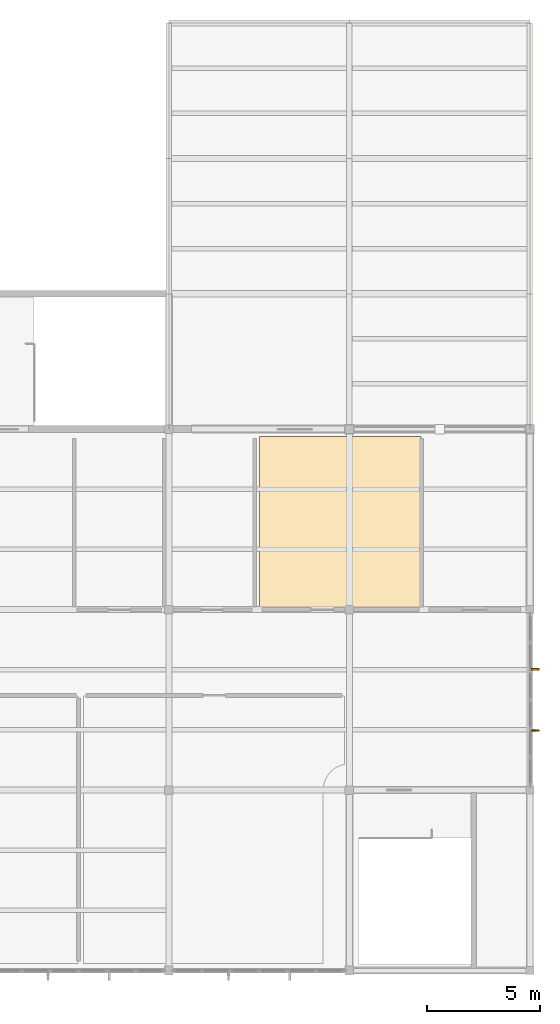
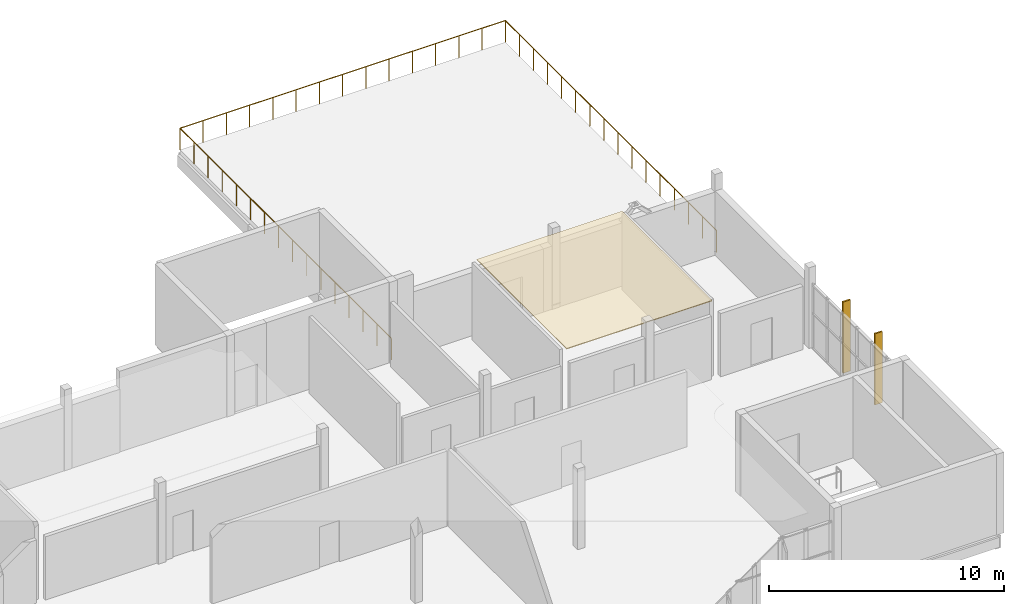
# One storey, part 15 of 15: 2 shading devices, 1 covering, 1 railing.
"""IFC4 building model written with IfcOpenShell, lengths in metres."""

from ifc_helpers import new_model, si_unit, direction, frame, origin, origin_2d, place, context, subcontext, project, spatial, polyline, rectangle, circle, outline, extrude, material, layer, layer_set, type_object, element, save


model = new_model("IFC4")

# Units and contexts
model_context = context("Model", 3, precision=1e-05, world=origin(), true_north=direction((0.0, 1.0)))
body_context = subcontext(model_context, "Body", "Model", "MODEL_VIEW")
ifc_project = project(units=[si_unit("LENGTHUNIT", "METRE"), si_unit("AREAUNIT", "SQUARE_METRE"), si_unit("VOLUMEUNIT", "CUBIC_METRE"), si_unit("PLANEANGLEUNIT", "RADIAN"), si_unit("MASSUNIT", "GRAM", prefix="KILO")], contexts=[model_context])

# Site, building, storey
site_placement = place(None, origin())
site = spatial("IfcSite", under=ifc_project, at=site_placement, CompositionType="ELEMENT")
building_placement = place(site_placement, origin())
building = spatial("IfcBuilding", under=site, at=building_placement, Name="Solvane Community Centre", CompositionType="ELEMENT")
storey_placement = place(building_placement, frame((0.0, 0.0, 18.0)))
storey = spatial("IfcBuildingStorey", under=building, at=storey_placement, Name="L04", CompositionType="ELEMENT", Elevation=18.0)

# Covering
ifc_material_1 = material(Name="Acoustic timber slat ceiling", Category="wood")
ifc_layer = layer(ifc_material_1, 0.0400390625)
ifc_layer_set = layer_set([ifc_layer], Name="Acoustic timber slat ceiling")
covering_type = type_object("IfcCoveringType", Name="Acoustic Timber Slat Suspended Ceiling", PredefinedType="CEILING", material=ifc_layer_set)
covering_placement = place(storey_placement, frame((0.0, 0.0, 3.97509765625)))
element("IfcCovering", 1, at=covering_placement, inside=storey, type_object=covering_type, Name="Acoustic Ceiling L04-14", PredefinedType="CEILING", context=body_context, shape_type="SweptSolid", body=[
    extrude(outline(polyline([(128.02001953125, 22.02001953125), (128.02001953125, 29.679931640625), (135.179931640625, 29.679931640625), (135.179931640625, 22.02001953125), (128.02001953125, 22.02001953125)])), origin(), (0.0, 0.0, 1.0), 0.039794921875),
])

# Shading devices
ifc_material_2 = material(Name="Anodised bronze aluminium AW-6063 T6", Category="aluminium")
shading_device_type = type_object("IfcShadingDeviceType", Name="Art Deco Bronze Solar Fin 80x360", PredefinedType="USERDEFINED", material=ifc_material_2)
shading_device_1_placement = place(storey_placement, frame((140.239990234375, 19.360107421875, 0.14990234375), z_axis=(0.0, 0.0, 1.0), x_axis=(0.0, -1.0, 0.0)))
element("IfcShadingDevice", 2, at=shading_device_1_placement, inside=storey, type_object=shading_device_type, Name="Solar Brise-Soleil Fin 133", ObjectType="Solar Brise-Soleil Fin 133", PredefinedType="USERDEFINED", context=body_context, shape_type="SweptSolid", body=[
    extrude(rectangle(XDim=0.080078125, YDim=0.360107421875, at=origin_2d()), origin(), (0.0, 0.0, 1.0), 3.699951171875),
])
shading_device_2_placement = place(storey_placement, frame((140.239990234375, 16.639892578125, 0.14990234375), z_axis=(0.0, 0.0, 1.0), x_axis=(0.0, -1.0, 0.0)))
element("IfcShadingDevice", 3, at=shading_device_2_placement, inside=storey, type_object=shading_device_type, Name="Solar Brise-Soleil Fin 134", ObjectType="Solar Brise-Soleil Fin 134", PredefinedType="USERDEFINED", context=body_context, shape_type="SweptSolid", body=[
    extrude(rectangle(XDim=0.080078125, YDim=0.360107421875, at=origin_2d()), origin(), (0.0, 0.0, 1.0), 3.699951171875),
])

# Railing
railing_type = type_object("IfcRailingType", Name="Terrace Art Deco Guard Balustrade 1150mm", PredefinedType="BALUSTRADE", material=ifc_material_2)
railing_placement = place(storey_placement, frame((124.0, 30.0, 0.0)))
element("IfcRailing", 4, at=railing_placement, inside=storey, type_object=railing_type, Name="Terrace Guard GRD-TER-008", PredefinedType="BALUSTRADE", context=body_context, shape_type="SweptSolid", body=[
    extrude(circle(Radius=0.02392578125, at=origin_2d()), frame((0.0, 0.0, 1.1259765625), z_axis=(0.0, 1.0, 0.0), x_axis=(-1.0, 0.0, 0.0)), (0.0, 0.0, 1.0), 18.0),
    extrude(circle(Radius=0.02392578125, at=origin_2d()), frame((0.0, 18.0, 1.1259765625), z_axis=(1.0, 0.0, 0.0), x_axis=(0.0, 1.0, 0.0)), (0.0, 0.0, 1.0), 16.0),
    extrude(circle(Radius=0.02392578125, at=origin_2d()), frame((16.0, 18.0, 1.1259765625), z_axis=(0.0, -1.0, 0.0), x_axis=(1.0, 0.0, 0.0)), (0.0, 0.0, 1.0), 18.0),
    extrude(circle(Radius=0.02099609375, at=origin_2d()), origin(), (0.0, 0.0, 1.0), 1.101806640625),
    extrude(circle(Radius=0.02099609375, at=origin_2d()), frame((0.0, 1.199951171875, 0.0)), (0.0, 0.0, 1.0), 1.101806640625),
    extrude(circle(Radius=0.02099609375, at=origin_2d()), frame((0.0, 2.39990234375, 0.0)), (0.0, 0.0, 1.0), 1.101806640625),
    extrude(circle(Radius=0.02099609375, at=origin_2d()), frame((0.0, 3.60009765625, 0.0)), (0.0, 0.0, 1.0), 1.101806640625),
    extrude(circle(Radius=0.02099609375, at=origin_2d()), frame((0.0, 4.800048828125, 0.0)), (0.0, 0.0, 1.0), 1.101806640625),
    extrude(circle(Radius=0.02099609375, at=origin_2d()), frame((0.0, 6.0, 0.0)), (0.0, 0.0, 1.0), 1.101806640625),
    extrude(circle(Radius=0.02099609375, at=origin_2d()), frame((0.0, 7.199951171875, 0.0)), (0.0, 0.0, 1.0), 1.101806640625),
    extrude(circle(Radius=0.02099609375, at=origin_2d()), frame((0.0, 8.39990234375, 0.0)), (0.0, 0.0, 1.0), 1.101806640625),
    extrude(circle(Radius=0.02099609375, at=origin_2d()), frame((0.0, 9.60009765625, 0.0)), (0.0, 0.0, 1.0), 1.101806640625),
    extrude(circle(Radius=0.02099609375, at=origin_2d()), frame((0.0, 10.800048828125, 0.0)), (0.0, 0.0, 1.0), 1.101806640625),
    extrude(circle(Radius=0.02099609375, at=origin_2d()), frame((0.0, 12.0, 0.0)), (0.0, 0.0, 1.0), 1.101806640625),
    extrude(circle(Radius=0.02099609375, at=origin_2d()), frame((0.0, 13.199951171875, 0.0)), (0.0, 0.0, 1.0), 1.101806640625),
    extrude(circle(Radius=0.02099609375, at=origin_2d()), frame((0.0, 14.39990234375, 0.0)), (0.0, 0.0, 1.0), 1.101806640625),
    extrude(circle(Radius=0.02099609375, at=origin_2d()), frame((0.0, 15.60009765625, 0.0)), (0.0, 0.0, 1.0), 1.101806640625),
    extrude(circle(Radius=0.02099609375, at=origin_2d()), frame((0.0, 16.800048828125, 0.0)), (0.0, 0.0, 1.0), 1.101806640625),
    extrude(circle(Radius=0.02099609375, at=origin_2d()), frame((0.0, 18.0, 0.0)), (0.0, 0.0, 1.0), 1.101806640625),
    extrude(circle(Radius=0.02099609375, at=origin_2d()), frame((1.142822265625, 18.0, 0.0)), (0.0, 0.0, 1.0), 1.101806640625),
    extrude(circle(Radius=0.02099609375, at=origin_2d()), frame((2.28564453125, 18.0, 0.0)), (0.0, 0.0, 1.0), 1.101806640625),
    extrude(circle(Radius=0.02099609375, at=origin_2d()), frame((3.428466796875, 18.0, 0.0)), (0.0, 0.0, 1.0), 1.101806640625),
    extrude(circle(Radius=0.02099609375, at=origin_2d()), frame((4.571533203125, 18.0, 0.0)), (0.0, 0.0, 1.0), 1.101806640625),
    extrude(circle(Radius=0.02099609375, at=origin_2d()), frame((5.71435546875, 18.0, 0.0)), (0.0, 0.0, 1.0), 1.101806640625),
    extrude(circle(Radius=0.02099609375, at=origin_2d()), frame((6.857177734375, 18.0, 0.0)), (0.0, 0.0, 1.0), 1.101806640625),
    extrude(circle(Radius=0.02099609375, at=origin_2d()), frame((8.0, 18.0, 0.0)), (0.0, 0.0, 1.0), 1.101806640625),
    extrude(circle(Radius=0.02099609375, at=origin_2d()), frame((9.142822265625, 18.0, 0.0)), (0.0, 0.0, 1.0), 1.101806640625),
    extrude(circle(Radius=0.02099609375, at=origin_2d()), frame((10.28564453125, 18.0, 0.0)), (0.0, 0.0, 1.0), 1.101806640625),
    extrude(circle(Radius=0.02099609375, at=origin_2d()), frame((11.428466796875, 18.0, 0.0)), (0.0, 0.0, 1.0), 1.101806640625),
    extrude(circle(Radius=0.02099609375, at=origin_2d()), frame((12.571533203125, 18.0, 0.0)), (0.0, 0.0, 1.0), 1.101806640625),
    extrude(circle(Radius=0.02099609375, at=origin_2d()), frame((13.71435546875, 18.0, 0.0)), (0.0, 0.0, 1.0), 1.101806640625),
    extrude(circle(Radius=0.02099609375, at=origin_2d()), frame((14.857177734375, 18.0, 0.0)), (0.0, 0.0, 1.0), 1.101806640625),
    extrude(circle(Radius=0.02099609375, at=origin_2d()), frame((16.0, 18.0, 0.0)), (0.0, 0.0, 1.0), 1.101806640625),
    extrude(circle(Radius=0.02099609375, at=origin_2d()), frame((16.0, 16.800048828125, 0.0)), (0.0, 0.0, 1.0), 1.101806640625),
    extrude(circle(Radius=0.02099609375, at=origin_2d()), frame((16.0, 15.60009765625, 0.0)), (0.0, 0.0, 1.0), 1.101806640625),
    extrude(circle(Radius=0.02099609375, at=origin_2d()), frame((16.0, 14.39990234375, 0.0)), (0.0, 0.0, 1.0), 1.101806640625),
    extrude(circle(Radius=0.02099609375, at=origin_2d()), frame((16.0, 13.199951171875, 0.0)), (0.0, 0.0, 1.0), 1.101806640625),
    extrude(circle(Radius=0.02099609375, at=origin_2d()), frame((16.0, 12.0, 0.0)), (0.0, 0.0, 1.0), 1.101806640625),
    extrude(circle(Radius=0.02099609375, at=origin_2d()), frame((16.0, 10.800048828125, 0.0)), (0.0, 0.0, 1.0), 1.101806640625),
    extrude(circle(Radius=0.02099609375, at=origin_2d()), frame((16.0, 9.60009765625, 0.0)), (0.0, 0.0, 1.0), 1.101806640625),
    extrude(circle(Radius=0.02099609375, at=origin_2d()), frame((16.0, 8.39990234375, 0.0)), (0.0, 0.0, 1.0), 1.101806640625),
    extrude(circle(Radius=0.02099609375, at=origin_2d()), frame((16.0, 7.199951171875, 0.0)), (0.0, 0.0, 1.0), 1.101806640625),
    extrude(circle(Radius=0.02099609375, at=origin_2d()), frame((16.0, 6.0, 0.0)), (0.0, 0.0, 1.0), 1.101806640625),
    extrude(circle(Radius=0.02099609375, at=origin_2d()), frame((16.0, 4.800048828125, 0.0)), (0.0, 0.0, 1.0), 1.101806640625),
    extrude(circle(Radius=0.02099609375, at=origin_2d()), frame((16.0, 3.60009765625, 0.0)), (0.0, 0.0, 1.0), 1.101806640625),
    extrude(circle(Radius=0.02099609375, at=origin_2d()), frame((16.0, 2.39990234375, 0.0)), (0.0, 0.0, 1.0), 1.101806640625),
    extrude(circle(Radius=0.02099609375, at=origin_2d()), frame((16.0, 1.199951171875, 0.0)), (0.0, 0.0, 1.0), 1.101806640625),
    extrude(circle(Radius=0.02099609375, at=origin_2d()), frame((16.0, 0.0, 0.0)), (0.0, 0.0, 1.0), 1.101806640625),
])

save(model, "model.ifc")
